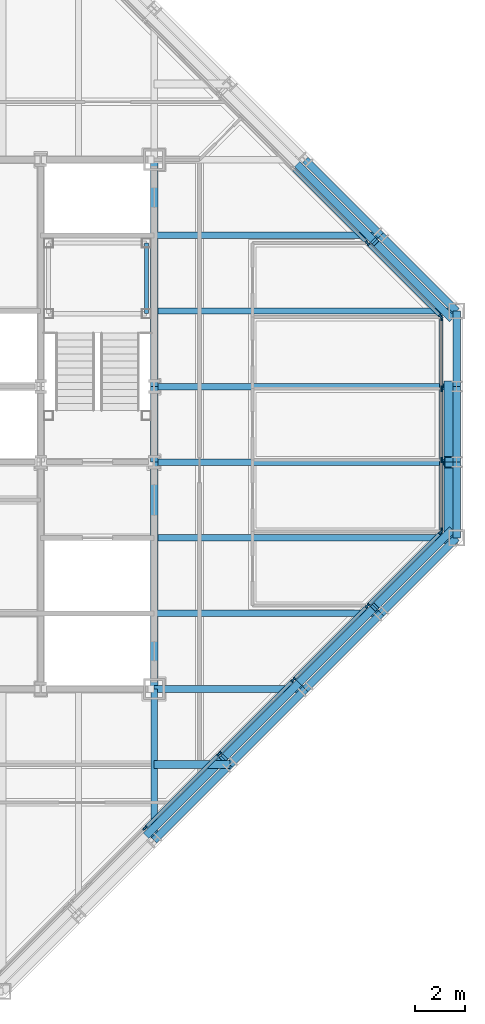
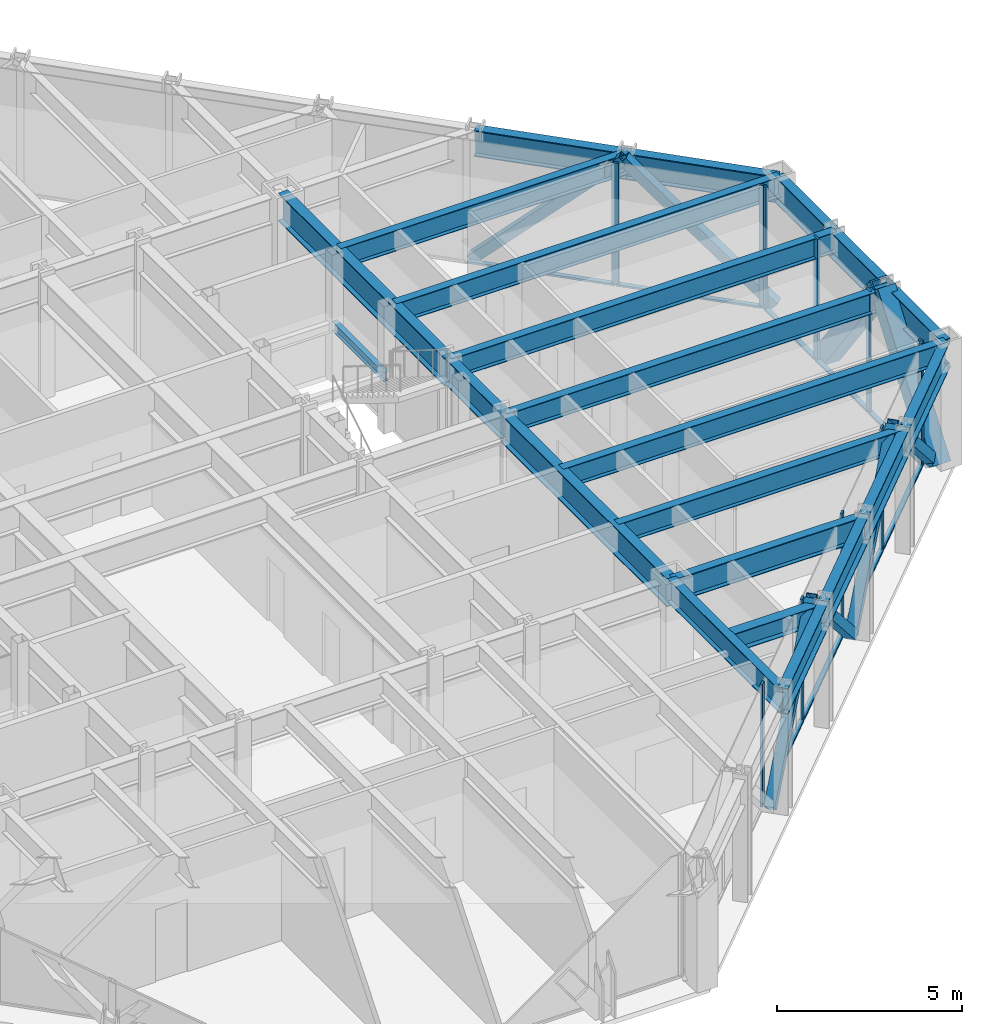
# One storey, part 7 of 15: 28 members, 22 beams, 3 elements without a shape of their own.
"""IFC4 building model written with IfcOpenShell, lengths in metres."""

from ifc_helpers import new_model, si_unit, direction, frame, origin, origin_2d, place, context, subcontext, project, spatial, rectangle, hollow_rectangle, i_section, extrude, material, layer, layer_set, material_profile, profile_set, type_object, element, aggregate, save


model = new_model("IFC4")

# Units and contexts
model_context = context("Model", 3, precision=1e-05, world=origin(), true_north=direction((0.0, 1.0)))
body_context = subcontext(model_context, "Body", "Model", "MODEL_VIEW")
ifc_project = project(units=[si_unit("LENGTHUNIT", "METRE"), si_unit("AREAUNIT", "SQUARE_METRE"), si_unit("VOLUMEUNIT", "CUBIC_METRE"), si_unit("PLANEANGLEUNIT", "RADIAN"), si_unit("MASSUNIT", "GRAM", prefix="KILO")], contexts=[model_context])

# Site, building, storey
site_placement = place(None, origin())
site = spatial("IfcSite", under=ifc_project, at=site_placement, CompositionType="ELEMENT")
building_placement = place(site_placement, origin())
building = spatial("IfcBuilding", under=site, at=building_placement, Name="Chuquiago Exchange Tower", CompositionType="ELEMENT")
storey_placement = place(building_placement, frame((0.0, 0.0, 262.199951171875)))
storey = spatial("IfcBuildingStorey", under=building, at=storey_placement, Name="L58", CompositionType="ELEMENT", Elevation=262.199951171875)

# Beams
ifc_material_1 = material(Name="Steel ASTM A992", Category="steel")
ifc_material_profile_1 = material_profile(ifc_material_1, i_section(OverallWidth=0.25390625, OverallDepth=0.683349609375, WebThickness=0.012451171875, FlangeThickness=0.018798828125, at=origin_2d()), Name="W27X94")
ifc_profile_set_1 = profile_set([ifc_material_profile_1], Name="Steel ASTM A992")
beam_type_1 = type_object("IfcBeamType", Name="B1 W27X94", PredefinedType="BEAM", material=ifc_profile_set_1)
beam_1_placement = place(storey_placement, frame((33.0, 15.0, 3.698486328125), z_axis=(1.0, 0.0, 0.0), x_axis=(0.0, 1.0, 0.0)))
element("IfcBeam", 1, at=beam_1_placement, inside=storey, type_object=beam_type_1, Name="FB-L59-infill-33_15-42_15-0", PredefinedType="BEAM", context=body_context, shape_type="SweptSolid", body=[
    extrude(i_section(OverallWidth=0.25390625, OverallDepth=0.683349609375, WebThickness=0.012451171875, FlangeThickness=0.018798828125, at=origin_2d()), origin(), (0.0, 0.0, 1.0), 9.0),
])
for number, where, z_axis, x_axis, name in (
    (2, (33.0, 18.0, 3.698486328125), (1.0, 0.0, 0.0), (0.0, 1.0, 0.0), "FB-L59-infill-33_18-45_18-0"),
    (3, (33.0, 21.0, 3.698486328125), (1.0, 0.0, 0.0), (0.0, 1.0, 0.0), "FB-L59-infill-33_21-45_21-0"),
    (4, (33.0, 24.0, 3.698486328125), (1.0, 0.0, 0.0), (0.0, 1.0, 0.0), "FB-L59-infill-33_24-45_24-0"),
    (5, (33.0, 27.0, 3.698486328125), (1.0, 0.0, 0.0), (0.0, 1.0, 0.0), "FB-L59-infill-33_27-45_27-0"),
):
    element("IfcBeam", number, at=place(storey_placement, frame(where, z_axis=z_axis, x_axis=x_axis)), inside=storey, type_object=beam_type_1, Name=name, PredefinedType="BEAM", context=body_context, shape_type="SweptSolid", body=[
        extrude(i_section(OverallWidth=0.25390625, OverallDepth=0.683349609375, WebThickness=0.012451171875, FlangeThickness=0.018798828125, at=origin_2d()), origin(), (0.0, 0.0, 1.0), 12.0),
    ])
beam_2_placement = place(storey_placement, frame((33.0, 30.0, 3.698486328125), z_axis=(1.0, 0.0, 0.0), x_axis=(0.0, 1.0, 0.0)))
element("IfcBeam", 6, at=beam_2_placement, inside=storey, type_object=beam_type_1, Name="FB-L59-infill-33_30-42_30-0", PredefinedType="BEAM", context=body_context, shape_type="SweptSolid", body=[
    extrude(i_section(OverallWidth=0.25390625, OverallDepth=0.683349609375, WebThickness=0.012451171875, FlangeThickness=0.018798828125, at=origin_2d()), origin(), (0.0, 0.0, 1.0), 9.0),
])
ifc_material_2 = material(Name="Steel ASTM A992", Category="steel")
ifc_material_profile_2 = material_profile(ifc_material_2, i_section(OverallWidth=0.307373046875, OverallDepth=0.927001953125, WebThickness=0.01953125, FlangeThickness=0.031982421875, at=origin_2d()), Name="W36X194")
ifc_profile_set_2 = profile_set([ifc_material_profile_2], Name="Steel ASTM A992")
beam_type_2 = type_object("IfcBeamType", Name="B10 W36X194", PredefinedType="BEAM", material=ifc_profile_set_2)
for number, where, z_axis, x_axis, name in (
    (7, (33.0, 12.0, 3.576416015625), (0.0, 1.0, 0.0), (-1.0, 0.0, 0.0), "CB-L59-33_12-33_21"),
    (8, (33.0, 24.0, 3.576416015625), (0.0, 1.0, 0.0), (-1.0, 0.0, 0.0), "CB-L59-33_24-33_33"),
):
    element("IfcBeam", number, at=place(storey_placement, frame(where, z_axis=z_axis, x_axis=x_axis)), inside=storey, type_object=beam_type_2, Name=name, PredefinedType="BEAM", context=body_context, shape_type="SweptSolid", body=[
        extrude(i_section(OverallWidth=0.307373046875, OverallDepth=0.927001953125, WebThickness=0.01953125, FlangeThickness=0.031982421875, at=origin_2d()), origin(), (0.0, 0.0, 1.0), 9.0),
    ])
ifc_material_3 = material(Name="Steel ASTM A992", Category="steel")
ifc_material_profile_3 = material_profile(ifc_material_3, i_section(OverallWidth=0.3251953125, OverallDepth=0.612060546875, WebThickness=0.0126953125, FlangeThickness=0.01904296875, at=origin_2d()), Name="W24X104")
ifc_profile_set_3 = profile_set([ifc_material_profile_3], Name="Steel ASTM A992")
beam_type_3 = type_object("IfcBeamType", Name="B2 W24X104", PredefinedType="BEAM", material=ifc_profile_set_3)
beam_3_placement = place(storey_placement, frame((33.0, 9.0, 3.73388671875), z_axis=(1.0, 0.0, 0.0), x_axis=(0.0, 1.0, 0.0)))
element("IfcBeam", 9, at=beam_3_placement, inside=storey, type_object=beam_type_3, Name="FB-L59-corner-33_9-36_9-0", PredefinedType="BEAM", context=body_context, shape_type="SweptSolid", body=[
    extrude(i_section(OverallWidth=0.3251953125, OverallDepth=0.612060546875, WebThickness=0.0126953125, FlangeThickness=0.01904296875, at=origin_2d()), origin(), (0.0, 0.0, 1.0), 3.0),
])
ifc_material_4 = material(Name="Steel ASTM A992", Category="steel")
ifc_material_profile_4 = material_profile(ifc_material_4, i_section(OverallWidth=0.2919921875, OverallDepth=0.8583984375, WebThickness=0.01708984375, FlangeThickness=0.031005859375, at=origin_2d()), Name="W33X169")
ifc_profile_set_4 = profile_set([ifc_material_profile_4], Name="Steel ASTM A992")
beam_type_4 = type_object("IfcBeamType", Name="B3 W33X169", PredefinedType="BEAM", material=ifc_profile_set_4)
beam_4_placement = place(storey_placement, frame((33.0, 21.0, 3.61083984375), z_axis=(0.0, 1.0, 0.0), x_axis=(-1.0, 0.0, 0.0)))
element("IfcBeam", 10, at=beam_4_placement, inside=storey, type_object=beam_type_4, Name="CB-L59-33_21-33_24", PredefinedType="BEAM", context=body_context, shape_type="SweptSolid", body=[
    extrude(i_section(OverallWidth=0.2919921875, OverallDepth=0.8583984375, WebThickness=0.01708984375, FlangeThickness=0.031005859375, at=origin_2d()), origin(), (0.0, 0.0, 1.0), 3.0),
])

# Curtain wall, members
ifc_material_5 = material(Name="Aluminium curtain wall system", Category="aluminium")
ifc_layer_1 = layer(ifc_material_5, 0.22509765625)
ifc_layer_set_1 = layer_set([ifc_layer_1], Name="CW2 office curtain wall")
curtain_wall_type_1 = type_object("IfcCurtainWallType", Name="CW2 office curtain wall", PredefinedType="NOTDEFINED", material=ifc_layer_set_1)
curtain_wall_1_placement = place(storey_placement, origin())
curtain_wall_1 = element("IfcCurtainWall", 11, at=curtain_wall_1_placement, inside=storey, type_object=curtain_wall_type_1, Name="CW2 curtain wall L58", PredefinedType="NOTDEFINED")
ifc_material_6 = material(Name="Aluminium mullion, pale anodised", Category="aluminium")
ifc_material_profile_5 = material_profile(ifc_material_6, rectangle(XDim=0.06494140625, YDim=0.22509765625, at=origin_2d()), Name="AL 65x225")
ifc_profile_set_5 = profile_set([ifc_material_profile_5], Name="Aluminium mullion, pale anodised")
member_type_1 = type_object("IfcMemberType", Name="CW2-M mullion 65x225", PredefinedType="MULLION", material=ifc_profile_set_5)
member_1_placement = place(storey_placement, frame((44.39990234375, 18.281005859375, 0.0), z_axis=(0.0, 0.0, 1.0), x_axis=(-1.0, 0.0, 0.0)))
member_1 = element("IfcMember", 12, at=member_1_placement, type_object=member_type_1, Name="CW2 mullion 1", PredefinedType="MULLION", context=body_context, shape_type="SweptSolid", body=[
    extrude(rectangle(XDim=0.06494140625, YDim=0.22509765625, at=origin_2d()), origin(), (0.0, 0.0, 1.0), 4.0400390625),
])
member_2_placement = place(storey_placement, frame((44.39990234375, 21.082763671875, 0.0), z_axis=(0.0, 0.0, 1.0), x_axis=(-1.0, 0.0, 0.0)))
member_2 = element("IfcMember", 13, at=member_2_placement, type_object=member_type_1, Name="CW2 mullion 2", PredefinedType="MULLION", context=body_context, shape_type="SweptSolid", body=[
    extrude(rectangle(XDim=0.06494140625, YDim=0.22509765625, at=origin_2d()), origin(), (0.0, 0.0, 1.0), 4.0400390625),
])
member_3_placement = place(storey_placement, frame((44.39990234375, 23.917236328125, 0.0), z_axis=(0.0, 0.0, 1.0), x_axis=(-1.0, 0.0, 0.0)))
member_3 = element("IfcMember", 14, at=member_3_placement, type_object=member_type_1, Name="CW2 mullion 3", PredefinedType="MULLION", context=body_context, shape_type="SweptSolid", body=[
    extrude(rectangle(XDim=0.06494140625, YDim=0.22509765625, at=origin_2d()), origin(), (0.0, 0.0, 1.0), 4.0400390625),
])
member_4_placement = place(storey_placement, frame((44.39990234375, 26.718994140625, 0.0), z_axis=(0.0, 0.0, 1.0), x_axis=(-1.0, 0.0, 0.0)))
member_4 = element("IfcMember", 15, at=member_4_placement, type_object=member_type_1, Name="CW2 mullion 4", PredefinedType="MULLION", context=body_context, shape_type="SweptSolid", body=[
    extrude(rectangle(XDim=0.06494140625, YDim=0.22509765625, at=origin_2d()), origin(), (0.0, 0.0, 1.0), 4.0400390625),
])
ifc_material_7 = material(Name="Aluminium transom, pale anodised", Category="aluminium")
ifc_material_profile_6 = material_profile(ifc_material_7, rectangle(XDim=0.139892578125, YDim=0.06494140625, at=origin_2d()), Name="AL 140x65")
ifc_profile_set_6 = profile_set([ifc_material_profile_6], Name="Aluminium transom, pale anodised")
member_type_2 = type_object("IfcMemberType", Name="CW2-T transom 65x140", PredefinedType="MULLION", material=ifc_profile_set_6)
member_5_placement = place(storey_placement, frame((44.39990234375, 18.3134765625, 0.032470703125), z_axis=(0.0, 1.0, 0.0), x_axis=(-1.0, 0.0, 0.0)))
member_5 = element("IfcMember", 16, at=member_5_placement, type_object=member_type_2, Name="CW2 transom 1.1", PredefinedType="MULLION", context=body_context, shape_type="SweptSolid", body=[
    extrude(rectangle(XDim=0.139892578125, YDim=0.06494140625, at=origin_2d()), origin(), (0.0, 0.0, 1.0), 2.73681640625),
])
member_6_placement = place(storey_placement, frame((44.39990234375, 21.115234375, 0.032470703125), z_axis=(0.0, 1.0, 0.0), x_axis=(-1.0, 0.0, 0.0)))
member_6 = element("IfcMember", 17, at=member_6_placement, type_object=member_type_2, Name="CW2 transom 2.1", PredefinedType="MULLION", context=body_context, shape_type="SweptSolid", body=[
    extrude(rectangle(XDim=0.139892578125, YDim=0.06494140625, at=origin_2d()), origin(), (0.0, 0.0, 1.0), 2.76953125),
])
member_7_placement = place(storey_placement, frame((44.39990234375, 23.94970703125, 0.032470703125), z_axis=(0.0, 1.0, 0.0), x_axis=(-1.0, 0.0, 0.0)))
member_7 = element("IfcMember", 18, at=member_7_placement, type_object=member_type_2, Name="CW2 transom 3.1", PredefinedType="MULLION", context=body_context, shape_type="SweptSolid", body=[
    extrude(rectangle(XDim=0.139892578125, YDim=0.06494140625, at=origin_2d()), origin(), (0.0, 0.0, 1.0), 2.73681640625),
])
aggregate(curtain_wall_1, [member_1, member_2, member_3, member_4, member_5, member_6, member_7])

ifc_material_8 = material(Name="Aluminium curtain wall system", Category="aluminium")
ifc_layer_2 = layer(ifc_material_8, 0.199951171875)
ifc_layer_set_2 = layer_set([ifc_layer_2], Name="CW3 facet curtain wall")
curtain_wall_type_2 = type_object("IfcCurtainWallType", Name="CW3 facet curtain wall", PredefinedType="NOTDEFINED", material=ifc_layer_set_2)
curtain_wall_2_placement = place(storey_placement, origin())
curtain_wall_2 = element("IfcCurtainWall", 19, at=curtain_wall_2_placement, inside=storey, type_object=curtain_wall_type_2, Name="CW3 curtain wall L58", PredefinedType="NOTDEFINED")
ifc_material_9 = material(Name="Aluminium mullion, pale anodised", Category="aluminium")
ifc_material_profile_7 = material_profile(ifc_material_9, rectangle(XDim=0.06494140625, YDim=0.199951171875, at=origin_2d()), Name="AL 65x200")
ifc_profile_set_7 = profile_set([ifc_material_profile_7], Name="Aluminium mullion, pale anodised")
member_type_3 = type_object("IfcMemberType", Name="CW3-M mullion 65x200", PredefinedType="MULLION", material=ifc_profile_set_7)
member_8_placement = place(storey_placement, frame((32.63427734375, 6.48291015625, 0.0), z_axis=(0.0, 0.0, 1.0), x_axis=(-0.707106781187, 0.707106781187, 0.0)))
member_8 = element("IfcMember", 20, at=member_8_placement, type_object=member_type_3, Name="CW3 mullion 3", PredefinedType="MULLION", context=body_context, shape_type="SweptSolid", body=[
    extrude(rectangle(XDim=0.06494140625, YDim=0.199951171875, at=origin_2d()), origin(), (0.0, 0.0, 1.0), 4.0400390625),
])
member_9_placement = place(storey_placement, frame((35.57568359375, 9.42431640625, 0.0), z_axis=(0.0, 0.0, 1.0), x_axis=(-0.707106781187, 0.707106781187, 0.0)))
member_9 = element("IfcMember", 21, at=member_9_placement, type_object=member_type_3, Name="CW3 mullion 4", PredefinedType="MULLION", context=body_context, shape_type="SweptSolid", body=[
    extrude(rectangle(XDim=0.06494140625, YDim=0.199951171875, at=origin_2d()), origin(), (0.0, 0.0, 1.0), 4.0400390625),
])
member_10_placement = place(storey_placement, frame((38.51708984375, 12.36572265625, 0.0), z_axis=(0.0, 0.0, 1.0), x_axis=(-0.707106781187, 0.707106781187, 0.0)))
member_10 = element("IfcMember", 22, at=member_10_placement, type_object=member_type_3, Name="CW3 mullion 5", PredefinedType="MULLION", context=body_context, shape_type="SweptSolid", body=[
    extrude(rectangle(XDim=0.06494140625, YDim=0.199951171875, at=origin_2d()), origin(), (0.0, 0.0, 1.0), 4.0400390625),
])
member_11_placement = place(storey_placement, frame((41.45849609375, 15.30712890625, 0.0), z_axis=(0.0, 0.0, 1.0), x_axis=(-0.707106781187, 0.707106781187, 0.0)))
member_11 = element("IfcMember", 23, at=member_11_placement, type_object=member_type_3, Name="CW3 mullion 6", PredefinedType="MULLION", context=body_context, shape_type="SweptSolid", body=[
    extrude(rectangle(XDim=0.06494140625, YDim=0.199951171875, at=origin_2d()), origin(), (0.0, 0.0, 1.0), 4.0400390625),
])
member_12_placement = place(storey_placement, frame((44.376953125, 18.2255859375, 0.0), z_axis=(0.0, 0.0, 1.0), x_axis=(-0.707106781187, 0.707106781187, 0.0)))
member_12 = element("IfcMember", 24, at=member_12_placement, type_object=member_type_3, Name="CW3 mullion 7", PredefinedType="MULLION", context=body_context, shape_type="SweptSolid", body=[
    extrude(rectangle(XDim=0.06494140625, YDim=0.199951171875, at=origin_2d()), origin(), (0.0, 0.0, 1.0), 4.0400390625),
])

curtain_wall_3_placement = place(storey_placement, origin())
curtain_wall_3 = element("IfcCurtainWall", 25, at=curtain_wall_3_placement, inside=storey, type_object=curtain_wall_type_2, Name="CW3 curtain wall L58", PredefinedType="NOTDEFINED")
member_13_placement = place(storey_placement, frame((44.376953125, 26.7744140625, 0.0), z_axis=(0.0, 0.0, 1.0), x_axis=(-0.707106781187, -0.707106781187, 0.0)))
member_13 = element("IfcMember", 26, at=member_13_placement, type_object=member_type_3, Name="CW3 mullion 1", PredefinedType="MULLION", context=body_context, shape_type="SweptSolid", body=[
    extrude(rectangle(XDim=0.06494140625, YDim=0.199951171875, at=origin_2d()), origin(), (0.0, 0.0, 1.0), 4.0400390625),
])
member_14_placement = place(storey_placement, frame((41.45849609375, 29.69287109375, 0.0), z_axis=(0.0, 0.0, 1.0), x_axis=(-0.707106781187, -0.707106781187, 0.0)))
member_14 = element("IfcMember", 27, at=member_14_placement, type_object=member_type_3, Name="CW3 mullion 2", PredefinedType="MULLION", context=body_context, shape_type="SweptSolid", body=[
    extrude(rectangle(XDim=0.06494140625, YDim=0.199951171875, at=origin_2d()), origin(), (0.0, 0.0, 1.0), 4.0400390625),
])

# Member
ifc_material_10 = material(Name="Aluminium transom, pale anodised", Category="aluminium")
ifc_material_profile_8 = material_profile(ifc_material_10, rectangle(XDim=0.139892578125, YDim=0.06494140625, at=origin_2d()), Name="AL 140x65")
ifc_profile_set_8 = profile_set([ifc_material_profile_8], Name="Aluminium transom, pale anodised")
member_type_4 = type_object("IfcMemberType", Name="CW3-T transom 65x140", PredefinedType="MULLION", material=ifc_profile_set_8)
member_15_placement = place(storey_placement, frame((32.6572265625, 6.505859375, 0.032470703125), z_axis=(0.707106781187, 0.707106781187, 0.0), x_axis=(-0.707106781187, 0.707106781187, 0.0)))
member_15 = element("IfcMember", 28, at=member_15_placement, type_object=member_type_4, Name="CW3 transom 3.1", PredefinedType="MULLION", context=body_context, shape_type="SweptSolid", body=[
    extrude(rectangle(XDim=0.139892578125, YDim=0.06494140625, at=origin_2d()), origin(), (0.0, 0.0, 1.0), 4.094970703125),
])

member_16_placement = place(storey_placement, frame((35.5986328125, 9.447265625, 0.032470703125), z_axis=(0.707106781187, 0.707106781187, 0.0), x_axis=(-0.707106781187, 0.707106781187, 0.0)))
member_16 = element("IfcMember", 29, at=member_16_placement, type_object=member_type_4, Name="CW3 transom 4.1", PredefinedType="MULLION", context=body_context, shape_type="SweptSolid", body=[
    extrude(rectangle(XDim=0.139892578125, YDim=0.06494140625, at=origin_2d()), origin(), (0.0, 0.0, 1.0), 4.094970703125),
])

member_17_placement = place(storey_placement, frame((38.5400390625, 12.388671875, 0.032470703125), z_axis=(0.707106781187, 0.707106781187, 0.0), x_axis=(-0.707106781187, 0.707106781187, 0.0)))
member_17 = element("IfcMember", 30, at=member_17_placement, type_object=member_type_4, Name="CW3 transom 5.1", PredefinedType="MULLION", context=body_context, shape_type="SweptSolid", body=[
    extrude(rectangle(XDim=0.139892578125, YDim=0.06494140625, at=origin_2d()), origin(), (0.0, 0.0, 1.0), 4.094970703125),
])

member_18_placement = place(storey_placement, frame((41.4814453125, 15.330078125, 0.032470703125), z_axis=(0.707106781187, 0.707106781187, 0.0), x_axis=(-0.707106781187, 0.707106781187, 0.0)))
member_18 = element("IfcMember", 31, at=member_18_placement, type_object=member_type_4, Name="CW3 transom 6.1", PredefinedType="MULLION", context=body_context, shape_type="SweptSolid", body=[
    extrude(rectangle(XDim=0.139892578125, YDim=0.06494140625, at=origin_2d()), origin(), (0.0, 0.0, 1.0), 4.0625),
])

aggregate(curtain_wall_2, [member_8, member_9, member_10, member_11, member_12, member_15, member_16, member_17, member_18])

member_19_placement = place(storey_placement, frame((44.35400390625, 26.79736328125, 0.032470703125), z_axis=(-0.707106781187, 0.707106781187, 0.0), x_axis=(-0.707106781187, -0.707106781187, 0.0)))
member_19 = element("IfcMember", 32, at=member_19_placement, type_object=member_type_4, Name="CW3 transom 1.1", PredefinedType="MULLION", context=body_context, shape_type="SweptSolid", body=[
    extrude(rectangle(XDim=0.139892578125, YDim=0.06494140625, at=origin_2d()), origin(), (0.0, 0.0, 1.0), 4.0625),
])

member_20_placement = place(storey_placement, frame((41.435546875, 29.7158203125, 0.032470703125), z_axis=(-0.707106781187, 0.707106781187, 0.0), x_axis=(-0.707106781187, -0.707106781187, 0.0)))
member_20 = element("IfcMember", 33, at=member_20_placement, type_object=member_type_4, Name="CW3 transom 2.1", PredefinedType="MULLION", context=body_context, shape_type="SweptSolid", body=[
    extrude(rectangle(XDim=0.139892578125, YDim=0.06494140625, at=origin_2d()), origin(), (0.0, 0.0, 1.0), 4.094970703125),
])

aggregate(curtain_wall_3, [member_13, member_14, member_19, member_20])

# Beams
ifc_material_11 = material(Name="Steel ASTM A992", Category="steel")
ifc_material_profile_9 = material_profile(ifc_material_11, i_section(OverallWidth=0.2666015625, OverallDepth=0.76953125, WebThickness=0.015625, FlangeThickness=0.025390625, at=origin_2d()), Name="W30X132")
ifc_profile_set_9 = profile_set([ifc_material_profile_9], Name="Steel ASTM A992")
beam_type_5 = type_object("IfcBeamType", Name="G1 W30X132", PredefinedType="BEAM", material=ifc_profile_set_9)
for number, where, z_axis, x_axis, name in (
    (34, (33.0, 12.0, 3.6552734375), (0.0, -1.0, 0.0), (1.0, 0.0, 0.0), "FB-L59-girder-33_12-33_6-0"),
    (35, (33.0, 12.0, 3.6552734375), (1.0, 0.0, 0.0), (0.0, 1.0, 0.0), "FB-L59-girder-33_12-39_12-0"),
):
    element("IfcBeam", number, at=place(storey_placement, frame(where, z_axis=z_axis, x_axis=x_axis)), inside=storey, type_object=beam_type_5, Name=name, PredefinedType="BEAM", context=body_context, shape_type="SweptSolid", body=[
        extrude(i_section(OverallWidth=0.2666015625, OverallDepth=0.76953125, WebThickness=0.015625, FlangeThickness=0.025390625, at=origin_2d()), origin(), (0.0, 0.0, 1.0), 6.0),
    ])

# Members
ifc_material_12 = material(Name="Steel ASTM A500 Grade C", Category="steel")
ifc_material_profile_10 = material_profile(ifc_material_12, hollow_rectangle(XDim=0.3046875, YDim=0.3046875, WallThickness=0.0146484375, at=origin_2d()), Name="HSS12X12X5/8")
ifc_profile_set_10 = profile_set([ifc_material_profile_10], Name="Steel ASTM A500 Grade C")
member_type_5 = type_object("IfcMemberType", Name="LB3 HSS12X12X5/8", PredefinedType="BRACE", material=ifc_profile_set_10)
for number, where, z_axis, x_axis, name in (
    (36, (32.750732421875, 6.249267578125, 0.0), (0.512077265487, 0.512077265487, 0.689604051861), (-0.707106781187, 0.707106781187, 0.0), "LB-L58-33_6-36_9"),
    (37, (38.750732421875, 12.249267578125, 0.0), (-0.512077265487, -0.512077265487, 0.689604051861), (0.707106781187, -0.707106781187, 0.0), "LB-L58-36_9-39_12"),
    (38, (38.750732421875, 12.249267578125, 0.0), (0.512077265487, 0.512077265487, 0.689604051861), (-0.707106781187, 0.707106781187, 0.0), "LB-L58-39_12-42_15"),
    (39, (44.750732421875, 18.249267578125, 0.0), (-0.512077265487, -0.512077265487, 0.689604051861), (0.707106781187, -0.707106781187, 0.0), "LB-L58-42_15-45_18"),
    (40, (44.750732421875, 26.750732421875, 0.0), (-0.512077265487, 0.512077265487, 0.689604051861), (-0.707106781187, -0.707106781187, 0.0), "LB-L58-45_27-42_30"),
    (41, (38.750732421875, 32.750732421875, 0.0), (0.512077265487, -0.512077265487, 0.689604051861), (0.707106781187, 0.707106781187, 0.0), "LB-L58-42_30-39_33"),
):
    element("IfcMember", number, at=place(storey_placement, frame(where, z_axis=z_axis, x_axis=x_axis)), inside=storey, type_object=member_type_5, Name=name, PredefinedType="BRACE", context=body_context, shape_type="SweptSolid", body=[
        extrude(hollow_rectangle(XDim=0.3046875, YDim=0.3046875, WallThickness=0.0146484375, at=origin_2d()), origin(), (0.0, 0.0, 1.0), 5.8583984375),
    ])

# Beam
ifc_material_13 = material(Name="Steel ASTM A992", Category="steel")
ifc_material_profile_11 = material_profile(ifc_material_13, i_section(OverallWidth=0.164794921875, OverallDepth=0.309814453125, WebThickness=0.005859375, FlangeThickness=0.009765625, at=origin_2d()), Name="W12X26")
ifc_profile_set_11 = profile_set([ifc_material_profile_11], Name="Steel ASTM A992")
beam_type_6 = type_object("IfcBeamType", Name="LS1 W12X26", PredefinedType="BEAM", material=ifc_profile_set_11)
beam_5_placement = place(storey_placement, frame((32.68994140625, 26.889892578125, 1.7451171875), z_axis=(0.0, 1.0, 0.0), x_axis=(-1.0, 0.0, 0.0)))
element("IfcBeam", 42, at=beam_5_placement, inside=storey, type_object=beam_type_6, Name="Stair ST2 L58 landing 1 stringer", PredefinedType="BEAM", context=body_context, shape_type="SweptSolid", body=[
    extrude(i_section(OverallWidth=0.164794921875, OverallDepth=0.309814453125, WebThickness=0.005859375, FlangeThickness=0.009765625, at=origin_2d()), origin(), (0.0, 0.0, 1.0), 2.800048828125),
])

# Members
ifc_material_14 = material(Name="Steel ASTM A572 Grade 50", Category="steel")
ifc_material_profile_12 = material_profile(ifc_material_14, hollow_rectangle(XDim=0.550048828125, YDim=0.550048828125, WallThickness=0.044921875, at=origin_2d()), Name="BOX550X550X45")
ifc_profile_set_12 = profile_set([ifc_material_profile_12], Name="Steel ASTM A572 Grade 50")
member_type_6 = type_object("IfcMemberType", Name="MB4 BOX550X550X45", PredefinedType="BRACE", material=ifc_profile_set_12)
for number, where, z_axis, x_axis, name in (
    (43, (44.77001953125, 18.0, 0.0), (0.0, 0.596173923302, 0.802855312728), (-1.0, 0.0, 0.0), "Mega diagonal L58 E face"),
    (44, (44.77001953125, 24.0, 0.0), (0.0, -0.596173923302, 0.802855312728), (1.0, 0.0, 0.0), "Mega diagonal L58 E face"),
):
    element("IfcMember", number, at=place(storey_placement, frame(where, z_axis=z_axis, x_axis=x_axis)), inside=storey, type_object=member_type_6, Name=name, PredefinedType="BRACE", context=body_context, shape_type="SweptSolid", body=[
        extrude(hollow_rectangle(XDim=0.550048828125, YDim=0.550048828125, WallThickness=0.044921875, at=origin_2d()), origin(), (0.0, 0.0, 1.0), 5.031982421875),
    ])

# Beams
ifc_material_15 = material(Name="Steel ASTM A992", Category="steel")
ifc_material_profile_13 = material_profile(ifc_material_15, i_section(OverallWidth=0.2919921875, OverallDepth=0.8583984375, WebThickness=0.01708984375, FlangeThickness=0.031005859375, at=origin_2d()), Name="W33X169")
ifc_profile_set_13 = profile_set([ifc_material_profile_13], Name="Steel ASTM A992")
beam_type_7 = type_object("IfcBeamType", Name="SP4 W33X169", PredefinedType="SPANDREL", material=ifc_profile_set_13)
for number, where, z_axis, x_axis, name in (
    (45, (33.0, 6.0, 3.61083984375), (0.707106781187, 0.707106781187, 0.0), (-0.707106781187, 0.707106781187, 0.0), "SPB-L59-33_6-36_9"),
    (46, (36.0, 9.0, 3.61083984375), (0.707106781187, 0.707106781187, 0.0), (-0.707106781187, 0.707106781187, 0.0), "SPB-L59-36_9-39_12"),
    (47, (39.0, 12.0, 3.61083984375), (0.707106781187, 0.707106781187, 0.0), (-0.707106781187, 0.707106781187, 0.0), "SPB-L59-39_12-42_15"),
    (48, (42.0, 15.0, 3.61083984375), (0.707106781187, 0.707106781187, 0.0), (-0.707106781187, 0.707106781187, 0.0), "SPB-L59-42_15-45_18"),
):
    element("IfcBeam", number, at=place(storey_placement, frame(where, z_axis=z_axis, x_axis=x_axis)), inside=storey, type_object=beam_type_7, Name=name, PredefinedType="SPANDREL", context=body_context, shape_type="SweptSolid", body=[
        extrude(i_section(OverallWidth=0.2919921875, OverallDepth=0.8583984375, WebThickness=0.01708984375, FlangeThickness=0.031005859375, at=origin_2d()), origin(), (0.0, 0.0, 1.0), 4.24267578125),
    ])
for number, where, z_axis, x_axis, name in (
    (49, (45.0, 18.0, 3.61083984375), (0.0, 1.0, 0.0), (-1.0, 0.0, 0.0), "SPB-L59-45_18-45_21"),
    (50, (45.0, 21.0, 3.61083984375), (0.0, 1.0, 0.0), (-1.0, 0.0, 0.0), "SPB-L59-45_21-45_24"),
    (51, (45.0, 24.0, 3.61083984375), (0.0, 1.0, 0.0), (-1.0, 0.0, 0.0), "SPB-L59-45_24-45_27"),
):
    element("IfcBeam", number, at=place(storey_placement, frame(where, z_axis=z_axis, x_axis=x_axis)), inside=storey, type_object=beam_type_7, Name=name, PredefinedType="SPANDREL", context=body_context, shape_type="SweptSolid", body=[
        extrude(i_section(OverallWidth=0.2919921875, OverallDepth=0.8583984375, WebThickness=0.01708984375, FlangeThickness=0.031005859375, at=origin_2d()), origin(), (0.0, 0.0, 1.0), 3.0),
    ])
for number, where, z_axis, x_axis, name in (
    (52, (45.0, 27.0, 3.61083984375), (-0.707106781187, 0.707106781187, 0.0), (-0.707106781187, -0.707106781187, 0.0), "SPB-L59-45_27-42_30"),
    (53, (42.0, 30.0, 3.61083984375), (-0.707106781187, 0.707106781187, 0.0), (-0.707106781187, -0.707106781187, 0.0), "SPB-L59-42_30-39_33"),
):
    element("IfcBeam", number, at=place(storey_placement, frame(where, z_axis=z_axis, x_axis=x_axis)), inside=storey, type_object=beam_type_7, Name=name, PredefinedType="SPANDREL", context=body_context, shape_type="SweptSolid", body=[
        extrude(i_section(OverallWidth=0.2919921875, OverallDepth=0.8583984375, WebThickness=0.01708984375, FlangeThickness=0.031005859375, at=origin_2d()), origin(), (0.0, 0.0, 1.0), 4.24267578125),
    ])

save(model, "model.ifc")
